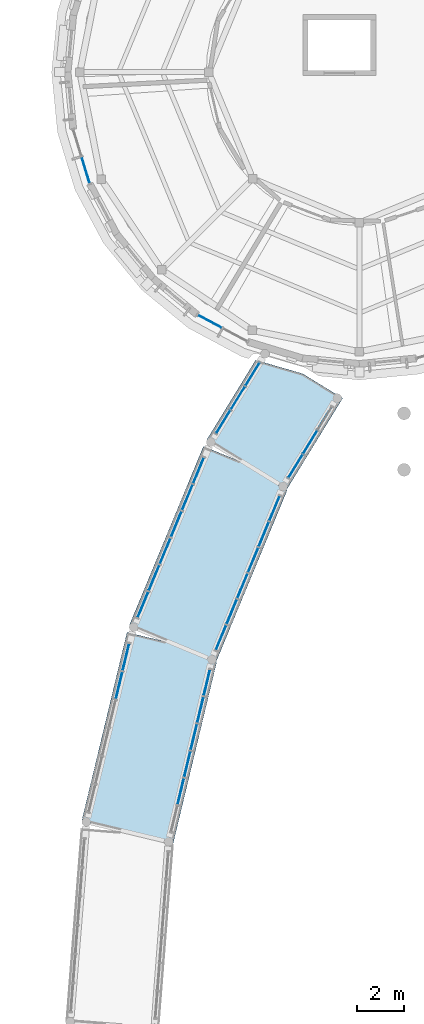
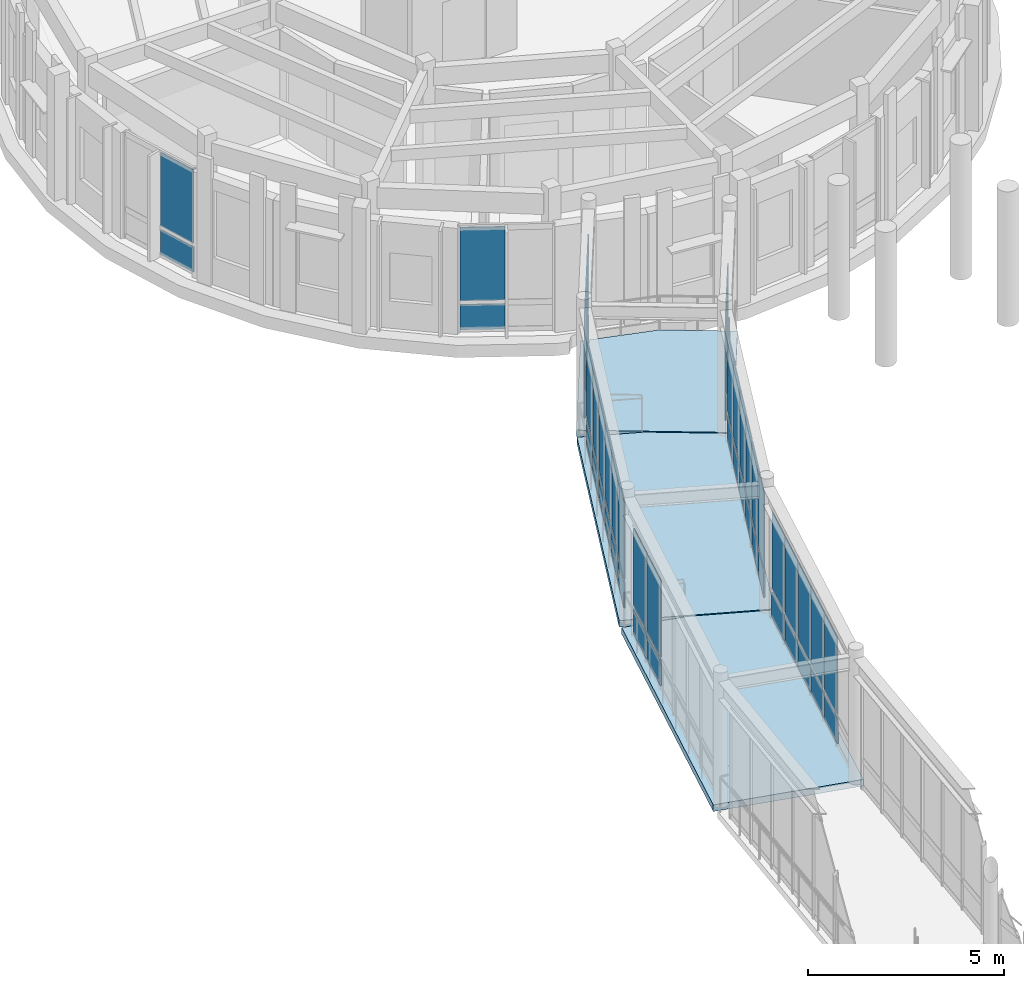
# One storey, part 41 of 80: 53 plates, 3 slabs, 8 elements without a shape of their own.
"""IFC4 building model written with IfcOpenShell, lengths in metres."""

import ifcopenshell
import ifcopenshell.guid

model = None  # the IFC model being written
_history = None  # IfcOwnerHistory: only IFC2X3 demands one
_inside = {}  # id of a spatial element -> (the spatial element, [elements in it])
_under = {}  # id of a project, library or spatial element -> (it, [spatial elements below it])
_declared = {}  # id of a project -> (the project, [libraries it declares])
_typed = {}  # id of a type object -> (the type object, [elements of that type])
_made_of = {}  # id of a material, layer set ... -> (it, [elements and type objects made of it])


def new_model(schema):
    """Start an empty IFC model of exactly this schema.

    Asked for "IFC4X3", IfcOpenShell would pick the latest addendum, in which some entities
    have other attributes; the version numbers below select the first issue.
    IFC2X3 requires an IfcOwnerHistory on every rooted entity: one is made here for all.
    """
    global model, _history
    if schema == "IFC4X3":
        model = ifcopenshell.file(schema_version=(4, 3, 0, 0))
    else:
        model = ifcopenshell.file(schema=schema)
    _inside.clear()
    _under.clear()
    _declared.clear()
    _typed.clear()
    _made_of.clear()
    _history = None
    if model.schema == "IFC2X3":
        org = make("IfcOrganization", Name="unknown")
        user = make(
            "IfcPersonAndOrganization",
            ThePerson=make("IfcPerson", FamilyName="unknown"),
            TheOrganization=org,
        )
        app = make(
            "IfcApplication",
            ApplicationDeveloper=org,
            Version="unknown",
            ApplicationFullName="unknown",
            ApplicationIdentifier="unknown",
        )
        _history = make(
            "IfcOwnerHistory",
            OwningUser=user,
            OwningApplication=app,
            ChangeAction="ADDED",
            CreationDate=0,
        )
    return model


def make(cls, **values):
    """One entity of the class cls with the attributes given. An attribute that is None is left unset."""
    return model.create_entity(
        cls, **{name: value for name, value in values.items() if value is not None}
    )


def rooted(cls, **values):
    """An entity with a GlobalId (a new one), such as an element, a storey or a relation."""
    return make(cls, GlobalId=ifcopenshell.guid.new(), OwnerHistory=_history, **values)


def si_unit(unit_type, name, prefix=None):
    """IfcSIUnit, for example si_unit("LENGTHUNIT", "METRE", prefix="MILLI")."""
    return make("IfcSIUnit", UnitType=unit_type, Prefix=prefix, Name=name)


def assignment(units):
    """IfcUnitAssignment: the units of a project."""
    return None if units is None else make("IfcUnitAssignment", Units=units)


def point(xyz):
    """IfcCartesianPoint."""
    return None if xyz is None else make("IfcCartesianPoint", Coordinates=xyz)


def direction(xyz):
    """IfcDirection."""
    return None if xyz is None else make("IfcDirection", DirectionRatios=xyz)


def frame(location, z_axis=None, x_axis=None):
    """IfcAxis2Placement3D, a coordinate frame: its origin and axes. An axis left out is left unset."""
    return make(
        "IfcAxis2Placement3D",
        Location=point(location),
        Axis=direction(z_axis),
        RefDirection=direction(x_axis),
    )


def frame_2d(location, x_axis=None):
    """IfcAxis2Placement2D, a coordinate frame in the plane: its origin and x axis."""
    return make(
        "IfcAxis2Placement2D", Location=point(location), RefDirection=direction(x_axis)
    )


def origin():
    """The frame at (0, 0, 0) with its axes left unset."""
    return frame((0.0, 0.0, 0.0))


def origin_2d():
    """The frame at (0, 0) in the plane with its x axis left unset."""
    return frame_2d((0.0, 0.0))


def place(relative_to, where):
    """IfcLocalPlacement: puts the frame where relative to a parent placement (None: the world)."""
    return make(
        "IfcLocalPlacement", PlacementRelTo=relative_to, RelativePlacement=where
    )


def context(
    kind, dimensions, precision=None, world=None, true_north=None, identifier=None
):
    """IfcGeometricRepresentationContext, for example the 3D "Model" context."""
    return make(
        "IfcGeometricRepresentationContext",
        ContextIdentifier=identifier,
        ContextType=kind,
        CoordinateSpaceDimension=dimensions,
        Precision=precision,
        WorldCoordinateSystem=world,
        TrueNorth=true_north,
    )


def subcontext(parent, identifier, kind, view, scale=None):
    """IfcGeometricRepresentationSubContext, for example "Body" below "Model"."""
    return make(
        "IfcGeometricRepresentationSubContext",
        ContextIdentifier=identifier,
        ContextType=kind,
        ParentContext=parent,
        TargetScale=scale,
        TargetView=view,
    )


def project(units=None, contexts=None):
    """IfcProject with its units and contexts."""
    return rooted(
        "IfcProject",
        Name="project",
        RepresentationContexts=contexts,
        UnitsInContext=assignment(units),
    )


def spatial(cls, under=None, at=None, **own):
    """A site, building, storey or space (cls), placed at a placement, below another one or the project."""
    s = rooted(cls, ObjectPlacement=at, **own)
    if under is not None:
        _under.setdefault(under.id(), (under, []))[1].append(s)
    return s


def polyline(points):
    """IfcPolyline through the points."""
    return make("IfcPolyline", Points=[point(p) for p in points])


def profile(cls, at=None, kind="AREA", **sizes):
    """A parametric profile (cls). Its sizes go by their IFC names, for example OverallWidth=200.0."""
    return make(cls, ProfileType=kind, Position=at, **sizes)


def rectangle(**sizes):
    """IfcRectangleProfileDef."""
    return profile("IfcRectangleProfileDef", **sizes)


def outline(outer, holes=None, kind="AREA"):
    """IfcArbitraryClosedProfileDef: a profile drawn as a closed curve; with holes, ...WithVoids."""
    if holes is None:
        return make("IfcArbitraryClosedProfileDef", ProfileType=kind, OuterCurve=outer)
    return make(
        "IfcArbitraryProfileDefWithVoids",
        ProfileType=kind,
        OuterCurve=outer,
        InnerCurves=holes,
    )


def extrude(swept, where, along, depth):
    """IfcExtrudedAreaSolid: the profile swept, set in the frame where, extruded along a direction by depth."""
    return make(
        "IfcExtrudedAreaSolid",
        SweptArea=swept,
        Position=where,
        ExtrudedDirection=direction(along),
        Depth=depth,
    )


def shape(context_of_items, identifier, shape_type, items):
    """IfcShapeRepresentation: the items that make up one representation, for example the "Body"."""
    return make(
        "IfcShapeRepresentation",
        ContextOfItems=context_of_items,
        RepresentationIdentifier=identifier,
        RepresentationType=shape_type,
        Items=items,
    )


def material(Name=None, Category=None):
    """IfcMaterial."""
    return make("IfcMaterial", Name=Name, Category=Category)


def layer(
    of_material, thickness, ventilated=None, Name=None, Category=None, Priority=None
):
    """IfcMaterialLayer: one layer of a wall or slab, of a material (None: an air gap)."""
    return make(
        "IfcMaterialLayer",
        Material=of_material,
        LayerThickness=thickness,
        IsVentilated=ventilated,
        Name=Name,
        Category=Category,
        Priority=Priority,
    )


def layer_set(layers, Name=None):
    """IfcMaterialLayerSet."""
    return make("IfcMaterialLayerSet", MaterialLayers=layers, LayerSetName=Name)


def made_of(thing, what):
    """Note that an element or type object is made of a material, layer set ...; save() writes the relation."""
    if what is not None:
        _made_of.setdefault(what.id(), (what, []))[1].append(thing)
    return thing


def type_object(cls, material=None, **own):
    """A type object (cls), such as IfcWallType, which elements share."""
    return made_of(rooted(cls, **own), material)


def element(
    cls,
    number,
    at=None,
    inside=None,
    cuts=None,
    type_object=None,
    material=None,
    context=None,
    identifier="Body",
    shape_type=None,
    held_by="IfcProductDefinitionShape",
    body=None,
    shapes=None,
    **own,
):
    """One element of the class cls, such as IfcWall. Its Tag is "e" and its number.

    at: its placement. inside: the storey or other place that contains it. cuts: it is an
    opening in that element (IfcRelVoidsElement). A single representation is given by context,
    identifier, shape_type and body (its items); several are given by shapes. held_by: the class
    of the entity that holds the representations. save() writes the other relations.
    """
    e = rooted(cls, Tag="e%d" % number, ObjectPlacement=at, **own)
    if body is not None:
        shapes = [shape(context, identifier, shape_type, body)]
    if shapes is not None:
        e.Representation = make(held_by, Representations=shapes)
    if inside is not None:
        _inside.setdefault(inside.id(), (inside, []))[1].append(e)
    if cuts is not None:
        rooted(
            "IfcRelVoidsElement", RelatingBuildingElement=cuts, RelatedOpeningElement=e
        )
    if type_object is not None:
        _typed.setdefault(type_object.id(), (type_object, []))[1].append(e)
    return made_of(e, material)


def aggregate(whole, parts):
    """IfcRelAggregates: a whole, such as a stair, and the parts it consists of."""
    return rooted("IfcRelAggregates", RelatingObject=whole, RelatedObjects=parts)


def save(model, path):
    """Write the relations noted so far, then the file.

    IfcRelAggregates (storeys below a building ...), IfcRelContainedInSpatialStructure (elements
    in a storey), IfcRelDefinesByType, IfcRelAssociatesMaterial and IfcRelDeclares: one each for
    every whole, place, type object, material and project.
    """
    for whole, parts in _under.values():
        aggregate(whole, parts)
    for where, things in _inside.values():
        rooted(
            "IfcRelContainedInSpatialStructure",
            RelatedElements=things,
            RelatingStructure=where,
        )
    for kind, things in _typed.values():
        rooted("IfcRelDefinesByType", RelatedObjects=things, RelatingType=kind)
    for what, things in _made_of.values():
        rooted("IfcRelAssociatesMaterial", RelatedObjects=things, RelatingMaterial=what)
    for by, libraries in _declared.values():
        rooted("IfcRelDeclares", RelatingContext=by, RelatedDefinitions=libraries)
    model.write(path)


model = new_model("IFC4")

# Units and contexts
model_context = context("Model", 3, precision=1e-05, world=origin(), true_north=direction((0.0, 1.0)))
body_context = subcontext(model_context, "Body", "Model", "MODEL_VIEW")
ifc_project = project(units=[si_unit("LENGTHUNIT", "METRE"), si_unit("AREAUNIT", "SQUARE_METRE"), si_unit("VOLUMEUNIT", "CUBIC_METRE"), si_unit("PLANEANGLEUNIT", "RADIAN"), si_unit("MASSUNIT", "GRAM", prefix="KILO")], contexts=[model_context])

# Site, building, storey
site_placement = place(None, origin())
site = spatial("IfcSite", under=ifc_project, at=site_placement, CompositionType="ELEMENT")
building_placement = place(site_placement, origin())
building = spatial("IfcBuilding", under=site, at=building_placement, Name="Aldenvaro Health Centre", CompositionType="ELEMENT")
storey_placement = place(building_placement, frame((0.0, 0.0, 4.550048828125)))
storey = spatial("IfcBuildingStorey", under=building, at=storey_placement, Name="L01", CompositionType="ELEMENT", Elevation=4.550048828125)

# Curtain wall, plate
ifc_material_1 = material(Name="Anodised Aluminium 6063-T6", Category="aluminium")
ifc_layer_1 = layer(ifc_material_1, 0.195068359375, Name="Anodised Aluminium 6063-T6", Category="aluminium")
ifc_layer_set_1 = layer_set([ifc_layer_1], Name="Anodised Aluminium 6063-T6")
curtain_wall_type_1 = type_object("IfcCurtainWallType", Name="CW-CLN-02", PredefinedType="NOTDEFINED", material=ifc_layer_set_1)
curtain_wall_1_placement = place(storey_placement, origin())
curtain_wall_1 = element("IfcCurtainWall", 1, at=curtain_wall_1_placement, inside=storey, type_object=curtain_wall_type_1, Name="D2 L01 curtain wall bay 11", PredefinedType="NOTDEFINED")
ifc_material_2 = material(Name="Low-E Double Glazing IGU", Category="glass")
ifc_layer_2 = layer(ifc_material_2, 0.028076171875, Name="Low-E Double Glazing IGU", Category="glass")
ifc_layer_set_2 = layer_set([ifc_layer_2], Name="Low-E Double Glazing IGU")
plate_type_1 = type_object("IfcPlateType", Name="CWP-IGU-28", PredefinedType="CURTAIN_PANEL", material=ifc_layer_set_2)
plate_1_placement = place(storey_placement, frame((148.14697265625, 88.903076171875, 0.95947265625), z_axis=(0.0, 0.0, 1.0), x_axis=(-0.881919874971, 0.471399336159, 0.0)))
plate_1 = element("IfcPlate", 2, at=plate_1_placement, type_object=plate_type_1, Name="D2 L01 curtain wall bay 11 vision glazing 2", PredefinedType="CURTAIN_PANEL", context=body_context, shape_type="SweptSolid", body=[
    extrude(rectangle(XDim=1.14599609375, YDim=0.028076171875, at=origin_2d()), origin(), (0.0, 0.0, 1.0), 2.2890625),
])

curtain_wall_2_placement = place(storey_placement, origin())
curtain_wall_2 = element("IfcCurtainWall", 3, at=curtain_wall_2_placement, inside=storey, type_object=curtain_wall_type_1, Name="D2 L01 curtain wall bay 15", PredefinedType="NOTDEFINED")
plate_2_placement = place(storey_placement, frame((142.867919921875, 95.3369140625, 0.95947265625), z_axis=(0.0, 0.0, 1.0), x_axis=(-0.290441245116, 0.956892827403, 0.0)))
plate_2 = element("IfcPlate", 4, at=plate_2_placement, type_object=plate_type_1, Name="D2 L01 curtain wall bay 15 vision glazing 1", PredefinedType="CURTAIN_PANEL", context=body_context, shape_type="SweptSolid", body=[
    extrude(rectangle(XDim=1.14501953125, YDim=0.028076171875, at=origin_2d()), origin(), (0.0, 0.0, 1.0), 2.2890625),
])

# Curtain wall, plates
ifc_layer_3 = layer(ifc_material_1, 0.2099609375, Name="Anodised Aluminium 6063-T6", Category="aluminium")
ifc_layer_set_3 = layer_set([ifc_layer_3], Name="Anodised Aluminium 6063-T6")
curtain_wall_type_2 = type_object("IfcCurtainWallType", Name="CW-BRG-03", PredefinedType="NOTDEFINED", material=ifc_layer_set_3)
curtain_wall_3_placement = place(storey_placement, origin())
curtain_wall_3 = element("IfcCurtainWall", 5, at=curtain_wall_3_placement, inside=storey, type_object=curtain_wall_type_2, Name="East Curved Garden Colonnade Arc 1 L01 glazed link wall L-1.1", PredefinedType="NOTDEFINED")
plate_3_placement = place(storey_placement, frame((152.406982421875, 83.77197265625, 0.9599609375), z_axis=(0.0, 0.0, 1.0), x_axis=(-0.522437044215, -0.852677861113, 0.0)))
plate_3 = element("IfcPlate", 6, at=plate_3_placement, type_object=plate_type_1, Name="East Curved Garden Colonnade Arc 1 L01 glazed link wall L-1.1 vision glazing 2", PredefinedType="CURTAIN_PANEL", context=body_context, shape_type="SweptSolid", body=[
    extrude(rectangle(XDim=1.117919921875, YDim=0.028076171875, at=origin_2d()), origin(), (0.0, 0.0, 1.0), 2.389892578125),
])
plate_4_placement = place(storey_placement, frame((151.785888671875, 82.758056640625, 0.9599609375), z_axis=(0.0, 0.0, 1.0), x_axis=(-0.522437044215, -0.852677861113, 0.0)))
plate_4 = element("IfcPlate", 7, at=plate_4_placement, type_object=plate_type_1, Name="East Curved Garden Colonnade Arc 1 L01 glazed link wall L-1.1 vision glazing 3", PredefinedType="CURTAIN_PANEL", context=body_context, shape_type="SweptSolid", body=[
    extrude(rectangle(XDim=1.117919921875, YDim=0.028076171875, at=origin_2d()), origin(), (0.0, 0.0, 1.0), 2.389892578125),
])

curtain_wall_4_placement = place(storey_placement, origin())
curtain_wall_4 = element("IfcCurtainWall", 8, at=curtain_wall_4_placement, inside=storey, type_object=curtain_wall_type_2, Name="East Curved Garden Colonnade Arc 1 L01 glazed link wall R-1.1", PredefinedType="NOTDEFINED")
plate_5_placement = place(storey_placement, frame((149.958984375, 86.666015625, 0.9599609375), z_axis=(0.0, 0.0, 1.0), x_axis=(-0.522562057926, -0.852601252413, 0.0)))
plate_5 = element("IfcPlate", 9, at=plate_5_placement, type_object=plate_type_1, Name="East Curved Garden Colonnade Arc 1 L01 glazed link wall R-1.1 vision glazing 1", PredefinedType="CURTAIN_PANEL", context=body_context, shape_type="SweptSolid", body=[
    extrude(rectangle(XDim=1.117919921875, YDim=0.028076171875, at=origin_2d()), origin(), (0.0, 0.0, 1.0), 2.389892578125),
])
plate_6_placement = place(storey_placement, frame((149.337890625, 85.653076171875, 0.9599609375), z_axis=(0.0, 0.0, 1.0), x_axis=(-0.522562057926, -0.852601252413, 0.0)))
plate_6 = element("IfcPlate", 10, at=plate_6_placement, type_object=plate_type_1, Name="East Curved Garden Colonnade Arc 1 L01 glazed link wall R-1.1 vision glazing 2", PredefinedType="CURTAIN_PANEL", context=body_context, shape_type="SweptSolid", body=[
    extrude(rectangle(XDim=1.117919921875, YDim=0.028076171875, at=origin_2d()), origin(), (0.0, 0.0, 1.0), 2.389892578125),
])
plate_7_placement = place(storey_placement, frame((148.717041015625, 84.639892578125, 0.9599609375), z_axis=(0.0, 0.0, 1.0), x_axis=(-0.522562057926, -0.852601252413, 0.0)))
plate_7 = element("IfcPlate", 11, at=plate_7_placement, type_object=plate_type_1, Name="East Curved Garden Colonnade Arc 1 L01 glazed link wall R-1.1 vision glazing 3", PredefinedType="CURTAIN_PANEL", context=body_context, shape_type="SweptSolid", body=[
    extrude(rectangle(XDim=1.117919921875, YDim=0.028076171875, at=origin_2d()), origin(), (0.0, 0.0, 1.0), 2.389892578125),
])

curtain_wall_5_placement = place(storey_placement, origin())
curtain_wall_5 = element("IfcCurtainWall", 12, at=curtain_wall_5_placement, inside=storey, type_object=curtain_wall_type_2, Name="East Curved Garden Colonnade Arc 2 L01 glazed link wall L-1.1", PredefinedType="NOTDEFINED")
plate_8_placement = place(storey_placement, frame((150.89404296875, 80.958984375, 0.9599609375), z_axis=(0.0, 0.0, 1.0), x_axis=(-0.382562426811, -0.923929645369, 0.0)))
plate_8 = element("IfcPlate", 13, at=plate_8_placement, type_object=plate_type_1, Name="East Curved Garden Colonnade Arc 2 L01 glazed link wall L-1.1 vision glazing 1", PredefinedType="CURTAIN_PANEL", context=body_context, shape_type="SweptSolid", body=[
    extrude(rectangle(XDim=1.117919921875, YDim=0.028076171875, at=origin_2d()), origin(), (0.0, 0.0, 1.0), 2.389892578125),
])
plate_9_placement = place(storey_placement, frame((150.43896484375, 79.861083984375, 0.9599609375), z_axis=(0.0, 0.0, 1.0), x_axis=(-0.382562426811, -0.923929645369, 0.0)))
plate_9 = element("IfcPlate", 14, at=plate_9_placement, type_object=plate_type_1, Name="East Curved Garden Colonnade Arc 2 L01 glazed link wall L-1.1 vision glazing 2", PredefinedType="CURTAIN_PANEL", context=body_context, shape_type="SweptSolid", body=[
    extrude(rectangle(XDim=1.117919921875, YDim=0.028076171875, at=origin_2d()), origin(), (0.0, 0.0, 1.0), 2.389892578125),
])
plate_10_placement = place(storey_placement, frame((149.985107421875, 78.763916015625, 0.9599609375), z_axis=(0.0, 0.0, 1.0), x_axis=(-0.382562426811, -0.923929645369, 0.0)))
plate_10 = element("IfcPlate", 15, at=plate_10_placement, type_object=plate_type_1, Name="East Curved Garden Colonnade Arc 2 L01 glazed link wall L-1.1 vision glazing 3", PredefinedType="CURTAIN_PANEL", context=body_context, shape_type="SweptSolid", body=[
    extrude(rectangle(XDim=1.117919921875, YDim=0.028076171875, at=origin_2d()), origin(), (0.0, 0.0, 1.0), 2.389892578125),
])
plate_11_placement = place(storey_placement, frame((149.530029296875, 77.666015625, 0.9599609375), z_axis=(0.0, 0.0, 1.0), x_axis=(-0.382562426811, -0.923929645369, 0.0)))
plate_11 = element("IfcPlate", 16, at=plate_11_placement, type_object=plate_type_1, Name="East Curved Garden Colonnade Arc 2 L01 glazed link wall L-1.1 vision glazing 4", PredefinedType="CURTAIN_PANEL", context=body_context, shape_type="SweptSolid", body=[
    extrude(rectangle(XDim=1.117919921875, YDim=0.028076171875, at=origin_2d()), origin(), (0.0, 0.0, 1.0), 2.389892578125),
])
plate_12_placement = place(storey_placement, frame((149.075927734375, 76.569091796875, 0.9599609375), z_axis=(0.0, 0.0, 1.0), x_axis=(-0.382562426811, -0.923929645369, 0.0)))
plate_12 = element("IfcPlate", 17, at=plate_12_placement, type_object=plate_type_1, Name="East Curved Garden Colonnade Arc 2 L01 glazed link wall L-1.1 vision glazing 5", PredefinedType="CURTAIN_PANEL", context=body_context, shape_type="SweptSolid", body=[
    extrude(rectangle(XDim=1.117919921875, YDim=0.028076171875, at=origin_2d()), origin(), (0.0, 0.0, 1.0), 2.389892578125),
])
plate_13_placement = place(storey_placement, frame((148.62109375, 75.470947265625, 0.9599609375), z_axis=(0.0, 0.0, 1.0), x_axis=(-0.382562426811, -0.923929645369, 0.0)))
plate_13 = element("IfcPlate", 18, at=plate_13_placement, type_object=plate_type_1, Name="East Curved Garden Colonnade Arc 2 L01 glazed link wall L-1.1 vision glazing 6", PredefinedType="CURTAIN_PANEL", context=body_context, shape_type="SweptSolid", body=[
    extrude(rectangle(XDim=1.117919921875, YDim=0.028076171875, at=origin_2d()), origin(), (0.0, 0.0, 1.0), 2.389892578125),
])

curtain_wall_6_placement = place(storey_placement, origin())
curtain_wall_6 = element("IfcCurtainWall", 19, at=curtain_wall_6_placement, inside=storey, type_object=curtain_wall_type_2, Name="East Curved Garden Colonnade Arc 2 L01 glazed link wall R-1.1", PredefinedType="NOTDEFINED")
plate_14_placement = place(storey_placement, frame((147.662109375, 82.56591796875, 0.9599609375), z_axis=(0.0, 0.0, 1.0), x_axis=(-0.382503002228, -0.923954248481, 0.0)))
plate_14 = element("IfcPlate", 20, at=plate_14_placement, type_object=plate_type_1, Name="East Curved Garden Colonnade Arc 2 L01 glazed link wall R-1.1 vision glazing 1", PredefinedType="CURTAIN_PANEL", context=body_context, shape_type="SweptSolid", body=[
    extrude(rectangle(XDim=1.1630859375, YDim=0.028076171875, at=origin_2d()), origin(), (0.0, 0.0, 1.0), 2.389892578125),
])
plate_15_placement = place(storey_placement, frame((147.18994140625, 81.427001953125, 0.9599609375), z_axis=(0.0, 0.0, 1.0), x_axis=(-0.382503002228, -0.923954248481, 0.0)))
plate_15 = element("IfcPlate", 21, at=plate_15_placement, type_object=plate_type_1, Name="East Curved Garden Colonnade Arc 2 L01 glazed link wall R-1.1 vision glazing 2", PredefinedType="CURTAIN_PANEL", context=body_context, shape_type="SweptSolid", body=[
    extrude(rectangle(XDim=1.1630859375, YDim=0.028076171875, at=origin_2d()), origin(), (0.0, 0.0, 1.0), 2.389892578125),
])
plate_16_placement = place(storey_placement, frame((146.718994140625, 80.2880859375, 0.9599609375), z_axis=(0.0, 0.0, 1.0), x_axis=(-0.382503002228, -0.923954248481, 0.0)))
plate_16 = element("IfcPlate", 22, at=plate_16_placement, type_object=plate_type_1, Name="East Curved Garden Colonnade Arc 2 L01 glazed link wall R-1.1 vision glazing 3", PredefinedType="CURTAIN_PANEL", context=body_context, shape_type="SweptSolid", body=[
    extrude(rectangle(XDim=1.1630859375, YDim=0.028076171875, at=origin_2d()), origin(), (0.0, 0.0, 1.0), 2.389892578125),
])
plate_17_placement = place(storey_placement, frame((146.2470703125, 79.14794921875, 0.9599609375), z_axis=(0.0, 0.0, 1.0), x_axis=(-0.382503002228, -0.923954248481, 0.0)))
plate_17 = element("IfcPlate", 23, at=plate_17_placement, type_object=plate_type_1, Name="East Curved Garden Colonnade Arc 2 L01 glazed link wall R-1.1 vision glazing 4", PredefinedType="CURTAIN_PANEL", context=body_context, shape_type="SweptSolid", body=[
    extrude(rectangle(XDim=1.1630859375, YDim=0.028076171875, at=origin_2d()), origin(), (0.0, 0.0, 1.0), 2.389892578125),
])
plate_18_placement = place(storey_placement, frame((145.77587890625, 78.009033203125, 0.9599609375), z_axis=(0.0, 0.0, 1.0), x_axis=(-0.382503002228, -0.923954248481, 0.0)))
plate_18 = element("IfcPlate", 24, at=plate_18_placement, type_object=plate_type_1, Name="East Curved Garden Colonnade Arc 2 L01 glazed link wall R-1.1 vision glazing 5", PredefinedType="CURTAIN_PANEL", context=body_context, shape_type="SweptSolid", body=[
    extrude(rectangle(XDim=1.1630859375, YDim=0.028076171875, at=origin_2d()), origin(), (0.0, 0.0, 1.0), 2.389892578125),
])
plate_19_placement = place(storey_placement, frame((145.303955078125, 76.8701171875, 0.9599609375), z_axis=(0.0, 0.0, 1.0), x_axis=(-0.382503002228, -0.923954248481, 0.0)))
plate_19 = element("IfcPlate", 25, at=plate_19_placement, type_object=plate_type_1, Name="East Curved Garden Colonnade Arc 2 L01 glazed link wall R-1.1 vision glazing 6", PredefinedType="CURTAIN_PANEL", context=body_context, shape_type="SweptSolid", body=[
    extrude(rectangle(XDim=1.1630859375, YDim=0.028076171875, at=origin_2d()), origin(), (0.0, 0.0, 1.0), 2.389892578125),
])

curtain_wall_7_placement = place(storey_placement, origin())
curtain_wall_7 = element("IfcCurtainWall", 26, at=curtain_wall_7_placement, inside=storey, type_object=curtain_wall_type_2, Name="East Curved Garden Colonnade Arc 3 L01 glazed link wall L-1.1", PredefinedType="NOTDEFINED")
plate_20_placement = place(storey_placement, frame((148.02001953125, 73.552978515625, 0.9599609375), z_axis=(0.0, 0.0, 1.0), x_axis=(-0.233611743879, -0.972329961033, 0.0)))
plate_20 = element("IfcPlate", 27, at=plate_20_placement, type_object=plate_type_1, Name="East Curved Garden Colonnade Arc 3 L01 glazed link wall L-1.1 vision glazing 1", PredefinedType="CURTAIN_PANEL", context=body_context, shape_type="SweptSolid", body=[
    extrude(rectangle(XDim=1.117919921875, YDim=0.028076171875, at=origin_2d()), origin(), (0.0, 0.0, 1.0), 2.389892578125),
])
plate_21_placement = place(storey_placement, frame((147.742919921875, 72.39794921875, 0.9599609375), z_axis=(0.0, 0.0, 1.0), x_axis=(-0.233611743879, -0.972329961033, 0.0)))
plate_21 = element("IfcPlate", 28, at=plate_21_placement, type_object=plate_type_1, Name="East Curved Garden Colonnade Arc 3 L01 glazed link wall L-1.1 vision glazing 2", PredefinedType="CURTAIN_PANEL", context=body_context, shape_type="SweptSolid", body=[
    extrude(rectangle(XDim=1.117919921875, YDim=0.028076171875, at=origin_2d()), origin(), (0.0, 0.0, 1.0), 2.389892578125),
])
plate_22_placement = place(storey_placement, frame((147.465087890625, 71.242919921875, 0.9599609375), z_axis=(0.0, 0.0, 1.0), x_axis=(-0.233611743879, -0.972329961033, 0.0)))
plate_22 = element("IfcPlate", 29, at=plate_22_placement, type_object=plate_type_1, Name="East Curved Garden Colonnade Arc 3 L01 glazed link wall L-1.1 vision glazing 3", PredefinedType="CURTAIN_PANEL", context=body_context, shape_type="SweptSolid", body=[
    extrude(rectangle(XDim=1.117919921875, YDim=0.028076171875, at=origin_2d()), origin(), (0.0, 0.0, 1.0), 2.389892578125),
])
plate_23_placement = place(storey_placement, frame((147.18798828125, 70.087890625, 0.9599609375), z_axis=(0.0, 0.0, 1.0), x_axis=(-0.233611743879, -0.972329961033, 0.0)))
plate_23 = element("IfcPlate", 30, at=plate_23_placement, type_object=plate_type_1, Name="East Curved Garden Colonnade Arc 3 L01 glazed link wall L-1.1 vision glazing 4", PredefinedType="CURTAIN_PANEL", context=body_context, shape_type="SweptSolid", body=[
    extrude(rectangle(XDim=1.117919921875, YDim=0.028076171875, at=origin_2d()), origin(), (0.0, 0.0, 1.0), 2.389892578125),
])
plate_24_placement = place(storey_placement, frame((146.909912109375, 68.93310546875, 0.9599609375), z_axis=(0.0, 0.0, 1.0), x_axis=(-0.233611743879, -0.972329961033, 0.0)))
plate_24 = element("IfcPlate", 31, at=plate_24_placement, type_object=plate_type_1, Name="East Curved Garden Colonnade Arc 3 L01 glazed link wall L-1.1 vision glazing 5", PredefinedType="CURTAIN_PANEL", context=body_context, shape_type="SweptSolid", body=[
    extrude(rectangle(XDim=1.117919921875, YDim=0.028076171875, at=origin_2d()), origin(), (0.0, 0.0, 1.0), 2.389892578125),
])

curtain_wall_8_placement = place(storey_placement, origin())
curtain_wall_8 = element("IfcCurtainWall", 32, at=curtain_wall_8_placement, inside=storey, type_object=curtain_wall_type_2, Name="East Curved Garden Colonnade Arc 3 L01 glazed link wall R-1.1", PredefinedType="NOTDEFINED")
plate_25_placement = place(storey_placement, frame((144.577880859375, 74.635986328125, 0.9599609375), z_axis=(0.0, 0.0, 1.0), x_axis=(-0.233587677429, -0.972335742917, 0.0)))
plate_25 = element("IfcPlate", 33, at=plate_25_placement, type_object=plate_type_1, Name="East Curved Garden Colonnade Arc 3 L01 glazed link wall R-1.1 vision glazing 1", PredefinedType="CURTAIN_PANEL", context=body_context, shape_type="SweptSolid", body=[
    extrude(rectangle(XDim=1.1630859375, YDim=0.028076171875, at=origin_2d()), origin(), (0.0, 0.0, 1.0), 2.389892578125),
])
plate_26_placement = place(storey_placement, frame((144.2900390625, 73.43701171875, 0.9599609375), z_axis=(0.0, 0.0, 1.0), x_axis=(-0.233587677429, -0.972335742917, 0.0)))
plate_26 = element("IfcPlate", 34, at=plate_26_placement, type_object=plate_type_1, Name="East Curved Garden Colonnade Arc 3 L01 glazed link wall R-1.1 vision glazing 2", PredefinedType="CURTAIN_PANEL", context=body_context, shape_type="SweptSolid", body=[
    extrude(rectangle(XDim=1.1630859375, YDim=0.028076171875, at=origin_2d()), origin(), (0.0, 0.0, 1.0), 2.389892578125),
])

# Plate
ifc_material_3 = material(Name="Insulated Aluminium Spandrel", Category="aluminium")
ifc_layer_4 = layer(ifc_material_3, 0.035888671875, Name="Insulated Aluminium Spandrel", Category="aluminium")
ifc_layer_set_4 = layer_set([ifc_layer_4], Name="Insulated Aluminium Spandrel")
plate_type_2 = type_object("IfcPlateType", Name="CWP-SPN-36", PredefinedType="CURTAIN_PANEL", material=ifc_layer_set_4)
plate_27_placement = place(storey_placement, frame((148.14697265625, 88.903076171875, 0.06005859375), z_axis=(0.0, 0.0, 1.0), x_axis=(-0.881919874971, 0.471399336159, 0.0)))
plate_27 = element("IfcPlate", 35, at=plate_27_placement, type_object=plate_type_2, Name="D2 L01 curtain wall bay 11 spandrel panel 2", PredefinedType="CURTAIN_PANEL", context=body_context, shape_type="SweptSolid", body=[
    extrude(rectangle(XDim=1.14599609375, YDim=0.035888671875, at=origin_2d()), origin(), (0.0, 0.0, 1.0), 0.780029296875),
])

aggregate(curtain_wall_1, [plate_27, plate_1])

plate_28_placement = place(storey_placement, frame((142.867919921875, 95.3369140625, 0.06005859375), z_axis=(0.0, 0.0, 1.0), x_axis=(-0.290441245116, 0.956892827403, 0.0)))
plate_28 = element("IfcPlate", 36, at=plate_28_placement, type_object=plate_type_2, Name="D2 L01 curtain wall bay 15 spandrel panel 1", PredefinedType="CURTAIN_PANEL", context=body_context, shape_type="SweptSolid", body=[
    extrude(rectangle(XDim=1.14501953125, YDim=0.035888671875, at=origin_2d()), origin(), (0.0, 0.0, 1.0), 0.780029296875),
])

aggregate(curtain_wall_2, [plate_28, plate_2])

plate_29_placement = place(storey_placement, frame((153.028076171875, 84.783935546875, 0.06005859375), z_axis=(0.0, 0.0, 1.0), x_axis=(-0.522437044215, -0.852677861113, 0.0)))
plate_29 = element("IfcPlate", 37, at=plate_29_placement, type_object=plate_type_2, Name="East Curved Garden Colonnade Arc 1 L01 glazed link wall L-1.1 spandrel panel 1", PredefinedType="CURTAIN_PANEL", context=body_context, shape_type="SweptSolid", body=[
    extrude(rectangle(XDim=1.117919921875, YDim=0.035888671875, at=origin_2d()), origin(), (0.0, 0.0, 1.0), 0.780029296875),
])

plate_30_placement = place(storey_placement, frame((152.406982421875, 83.77197265625, 0.06005859375), z_axis=(0.0, 0.0, 1.0), x_axis=(-0.522437044215, -0.852677861113, 0.0)))
plate_30 = element("IfcPlate", 38, at=plate_30_placement, type_object=plate_type_2, Name="East Curved Garden Colonnade Arc 1 L01 glazed link wall L-1.1 spandrel panel 2", PredefinedType="CURTAIN_PANEL", context=body_context, shape_type="SweptSolid", body=[
    extrude(rectangle(XDim=1.117919921875, YDim=0.035888671875, at=origin_2d()), origin(), (0.0, 0.0, 1.0), 0.780029296875),
])

plate_31_placement = place(storey_placement, frame((151.785888671875, 82.758056640625, 0.06005859375), z_axis=(0.0, 0.0, 1.0), x_axis=(-0.522437044215, -0.852677861113, 0.0)))
plate_31 = element("IfcPlate", 39, at=plate_31_placement, type_object=plate_type_2, Name="East Curved Garden Colonnade Arc 1 L01 glazed link wall L-1.1 spandrel panel 3", PredefinedType="CURTAIN_PANEL", context=body_context, shape_type="SweptSolid", body=[
    extrude(rectangle(XDim=1.117919921875, YDim=0.035888671875, at=origin_2d()), origin(), (0.0, 0.0, 1.0), 0.780029296875),
])

aggregate(curtain_wall_3, [plate_29, plate_30, plate_3, plate_31, plate_4])

plate_32_placement = place(storey_placement, frame((149.958984375, 86.666015625, 0.06005859375), z_axis=(0.0, 0.0, 1.0), x_axis=(-0.522562057926, -0.852601252413, 0.0)))
plate_32 = element("IfcPlate", 40, at=plate_32_placement, type_object=plate_type_2, Name="East Curved Garden Colonnade Arc 1 L01 glazed link wall R-1.1 spandrel panel 1", PredefinedType="CURTAIN_PANEL", context=body_context, shape_type="SweptSolid", body=[
    extrude(rectangle(XDim=1.117919921875, YDim=0.035888671875, at=origin_2d()), origin(), (0.0, 0.0, 1.0), 0.780029296875),
])

plate_33_placement = place(storey_placement, frame((149.337890625, 85.653076171875, 0.06005859375), z_axis=(0.0, 0.0, 1.0), x_axis=(-0.522562057926, -0.852601252413, 0.0)))
plate_33 = element("IfcPlate", 41, at=plate_33_placement, type_object=plate_type_2, Name="East Curved Garden Colonnade Arc 1 L01 glazed link wall R-1.1 spandrel panel 2", PredefinedType="CURTAIN_PANEL", context=body_context, shape_type="SweptSolid", body=[
    extrude(rectangle(XDim=1.117919921875, YDim=0.035888671875, at=origin_2d()), origin(), (0.0, 0.0, 1.0), 0.780029296875),
])

plate_34_placement = place(storey_placement, frame((148.717041015625, 84.639892578125, 0.06005859375), z_axis=(0.0, 0.0, 1.0), x_axis=(-0.522562057926, -0.852601252413, 0.0)))
plate_34 = element("IfcPlate", 42, at=plate_34_placement, type_object=plate_type_2, Name="East Curved Garden Colonnade Arc 1 L01 glazed link wall R-1.1 spandrel panel 3", PredefinedType="CURTAIN_PANEL", context=body_context, shape_type="SweptSolid", body=[
    extrude(rectangle(XDim=1.117919921875, YDim=0.035888671875, at=origin_2d()), origin(), (0.0, 0.0, 1.0), 0.780029296875),
])

aggregate(curtain_wall_4, [plate_32, plate_5, plate_33, plate_6, plate_34, plate_7])

plate_35_placement = place(storey_placement, frame((150.89404296875, 80.958984375, 0.06005859375), z_axis=(0.0, 0.0, 1.0), x_axis=(-0.382562426811, -0.923929645369, 0.0)))
plate_35 = element("IfcPlate", 43, at=plate_35_placement, type_object=plate_type_2, Name="East Curved Garden Colonnade Arc 2 L01 glazed link wall L-1.1 spandrel panel 1", PredefinedType="CURTAIN_PANEL", context=body_context, shape_type="SweptSolid", body=[
    extrude(rectangle(XDim=1.117919921875, YDim=0.035888671875, at=origin_2d()), origin(), (0.0, 0.0, 1.0), 0.780029296875),
])

plate_36_placement = place(storey_placement, frame((150.43896484375, 79.861083984375, 0.06005859375), z_axis=(0.0, 0.0, 1.0), x_axis=(-0.382562426811, -0.923929645369, 0.0)))
plate_36 = element("IfcPlate", 44, at=plate_36_placement, type_object=plate_type_2, Name="East Curved Garden Colonnade Arc 2 L01 glazed link wall L-1.1 spandrel panel 2", PredefinedType="CURTAIN_PANEL", context=body_context, shape_type="SweptSolid", body=[
    extrude(rectangle(XDim=1.117919921875, YDim=0.035888671875, at=origin_2d()), origin(), (0.0, 0.0, 1.0), 0.780029296875),
])

plate_37_placement = place(storey_placement, frame((149.985107421875, 78.763916015625, 0.06005859375), z_axis=(0.0, 0.0, 1.0), x_axis=(-0.382562426811, -0.923929645369, 0.0)))
plate_37 = element("IfcPlate", 45, at=plate_37_placement, type_object=plate_type_2, Name="East Curved Garden Colonnade Arc 2 L01 glazed link wall L-1.1 spandrel panel 3", PredefinedType="CURTAIN_PANEL", context=body_context, shape_type="SweptSolid", body=[
    extrude(rectangle(XDim=1.117919921875, YDim=0.035888671875, at=origin_2d()), origin(), (0.0, 0.0, 1.0), 0.780029296875),
])

plate_38_placement = place(storey_placement, frame((149.530029296875, 77.666015625, 0.06005859375), z_axis=(0.0, 0.0, 1.0), x_axis=(-0.382562426811, -0.923929645369, 0.0)))
plate_38 = element("IfcPlate", 46, at=plate_38_placement, type_object=plate_type_2, Name="East Curved Garden Colonnade Arc 2 L01 glazed link wall L-1.1 spandrel panel 4", PredefinedType="CURTAIN_PANEL", context=body_context, shape_type="SweptSolid", body=[
    extrude(rectangle(XDim=1.117919921875, YDim=0.035888671875, at=origin_2d()), origin(), (0.0, 0.0, 1.0), 0.780029296875),
])

plate_39_placement = place(storey_placement, frame((149.075927734375, 76.569091796875, 0.06005859375), z_axis=(0.0, 0.0, 1.0), x_axis=(-0.382562426811, -0.923929645369, 0.0)))
plate_39 = element("IfcPlate", 47, at=plate_39_placement, type_object=plate_type_2, Name="East Curved Garden Colonnade Arc 2 L01 glazed link wall L-1.1 spandrel panel 5", PredefinedType="CURTAIN_PANEL", context=body_context, shape_type="SweptSolid", body=[
    extrude(rectangle(XDim=1.117919921875, YDim=0.035888671875, at=origin_2d()), origin(), (0.0, 0.0, 1.0), 0.780029296875),
])

plate_40_placement = place(storey_placement, frame((148.62109375, 75.470947265625, 0.06005859375), z_axis=(0.0, 0.0, 1.0), x_axis=(-0.382562426811, -0.923929645369, 0.0)))
plate_40 = element("IfcPlate", 48, at=plate_40_placement, type_object=plate_type_2, Name="East Curved Garden Colonnade Arc 2 L01 glazed link wall L-1.1 spandrel panel 6", PredefinedType="CURTAIN_PANEL", context=body_context, shape_type="SweptSolid", body=[
    extrude(rectangle(XDim=1.117919921875, YDim=0.035888671875, at=origin_2d()), origin(), (0.0, 0.0, 1.0), 0.780029296875),
])

aggregate(curtain_wall_5, [plate_35, plate_8, plate_36, plate_9, plate_37, plate_10, plate_38, plate_11, plate_39, plate_12, plate_40, plate_13])

plate_41_placement = place(storey_placement, frame((147.662109375, 82.56591796875, 0.06005859375), z_axis=(0.0, 0.0, 1.0), x_axis=(-0.382503002228, -0.923954248481, 0.0)))
plate_41 = element("IfcPlate", 49, at=plate_41_placement, type_object=plate_type_2, Name="East Curved Garden Colonnade Arc 2 L01 glazed link wall R-1.1 spandrel panel 1", PredefinedType="CURTAIN_PANEL", context=body_context, shape_type="SweptSolid", body=[
    extrude(rectangle(XDim=1.1630859375, YDim=0.035888671875, at=origin_2d()), origin(), (0.0, 0.0, 1.0), 0.780029296875),
])

plate_42_placement = place(storey_placement, frame((147.18994140625, 81.427001953125, 0.06005859375), z_axis=(0.0, 0.0, 1.0), x_axis=(-0.382503002228, -0.923954248481, 0.0)))
plate_42 = element("IfcPlate", 50, at=plate_42_placement, type_object=plate_type_2, Name="East Curved Garden Colonnade Arc 2 L01 glazed link wall R-1.1 spandrel panel 2", PredefinedType="CURTAIN_PANEL", context=body_context, shape_type="SweptSolid", body=[
    extrude(rectangle(XDim=1.1630859375, YDim=0.035888671875, at=origin_2d()), origin(), (0.0, 0.0, 1.0), 0.780029296875),
])

plate_43_placement = place(storey_placement, frame((146.718994140625, 80.2880859375, 0.06005859375), z_axis=(0.0, 0.0, 1.0), x_axis=(-0.382503002228, -0.923954248481, 0.0)))
plate_43 = element("IfcPlate", 51, at=plate_43_placement, type_object=plate_type_2, Name="East Curved Garden Colonnade Arc 2 L01 glazed link wall R-1.1 spandrel panel 3", PredefinedType="CURTAIN_PANEL", context=body_context, shape_type="SweptSolid", body=[
    extrude(rectangle(XDim=1.1630859375, YDim=0.035888671875, at=origin_2d()), origin(), (0.0, 0.0, 1.0), 0.780029296875),
])

plate_44_placement = place(storey_placement, frame((146.2470703125, 79.14794921875, 0.06005859375), z_axis=(0.0, 0.0, 1.0), x_axis=(-0.382503002228, -0.923954248481, 0.0)))
plate_44 = element("IfcPlate", 52, at=plate_44_placement, type_object=plate_type_2, Name="East Curved Garden Colonnade Arc 2 L01 glazed link wall R-1.1 spandrel panel 4", PredefinedType="CURTAIN_PANEL", context=body_context, shape_type="SweptSolid", body=[
    extrude(rectangle(XDim=1.1630859375, YDim=0.035888671875, at=origin_2d()), origin(), (0.0, 0.0, 1.0), 0.780029296875),
])

plate_45_placement = place(storey_placement, frame((145.77587890625, 78.009033203125, 0.06005859375), z_axis=(0.0, 0.0, 1.0), x_axis=(-0.382503002228, -0.923954248481, 0.0)))
plate_45 = element("IfcPlate", 53, at=plate_45_placement, type_object=plate_type_2, Name="East Curved Garden Colonnade Arc 2 L01 glazed link wall R-1.1 spandrel panel 5", PredefinedType="CURTAIN_PANEL", context=body_context, shape_type="SweptSolid", body=[
    extrude(rectangle(XDim=1.1630859375, YDim=0.035888671875, at=origin_2d()), origin(), (0.0, 0.0, 1.0), 0.780029296875),
])

plate_46_placement = place(storey_placement, frame((145.303955078125, 76.8701171875, 0.06005859375), z_axis=(0.0, 0.0, 1.0), x_axis=(-0.382503002228, -0.923954248481, 0.0)))
plate_46 = element("IfcPlate", 54, at=plate_46_placement, type_object=plate_type_2, Name="East Curved Garden Colonnade Arc 2 L01 glazed link wall R-1.1 spandrel panel 6", PredefinedType="CURTAIN_PANEL", context=body_context, shape_type="SweptSolid", body=[
    extrude(rectangle(XDim=1.1630859375, YDim=0.035888671875, at=origin_2d()), origin(), (0.0, 0.0, 1.0), 0.780029296875),
])

aggregate(curtain_wall_6, [plate_41, plate_14, plate_42, plate_15, plate_43, plate_16, plate_44, plate_17, plate_45, plate_18, plate_46, plate_19])

plate_47_placement = place(storey_placement, frame((148.02001953125, 73.552978515625, 0.06005859375), z_axis=(0.0, 0.0, 1.0), x_axis=(-0.233611743879, -0.972329961033, 0.0)))
plate_47 = element("IfcPlate", 55, at=plate_47_placement, type_object=plate_type_2, Name="East Curved Garden Colonnade Arc 3 L01 glazed link wall L-1.1 spandrel panel 1", PredefinedType="CURTAIN_PANEL", context=body_context, shape_type="SweptSolid", body=[
    extrude(rectangle(XDim=1.117919921875, YDim=0.035888671875, at=origin_2d()), origin(), (0.0, 0.0, 1.0), 0.780029296875),
])

plate_48_placement = place(storey_placement, frame((147.742919921875, 72.39794921875, 0.06005859375), z_axis=(0.0, 0.0, 1.0), x_axis=(-0.233611743879, -0.972329961033, 0.0)))
plate_48 = element("IfcPlate", 56, at=plate_48_placement, type_object=plate_type_2, Name="East Curved Garden Colonnade Arc 3 L01 glazed link wall L-1.1 spandrel panel 2", PredefinedType="CURTAIN_PANEL", context=body_context, shape_type="SweptSolid", body=[
    extrude(rectangle(XDim=1.117919921875, YDim=0.035888671875, at=origin_2d()), origin(), (0.0, 0.0, 1.0), 0.780029296875),
])

plate_49_placement = place(storey_placement, frame((147.465087890625, 71.242919921875, 0.06005859375), z_axis=(0.0, 0.0, 1.0), x_axis=(-0.233611743879, -0.972329961033, 0.0)))
plate_49 = element("IfcPlate", 57, at=plate_49_placement, type_object=plate_type_2, Name="East Curved Garden Colonnade Arc 3 L01 glazed link wall L-1.1 spandrel panel 3", PredefinedType="CURTAIN_PANEL", context=body_context, shape_type="SweptSolid", body=[
    extrude(rectangle(XDim=1.117919921875, YDim=0.035888671875, at=origin_2d()), origin(), (0.0, 0.0, 1.0), 0.780029296875),
])

plate_50_placement = place(storey_placement, frame((147.18798828125, 70.087890625, 0.06005859375), z_axis=(0.0, 0.0, 1.0), x_axis=(-0.233611743879, -0.972329961033, 0.0)))
plate_50 = element("IfcPlate", 58, at=plate_50_placement, type_object=plate_type_2, Name="East Curved Garden Colonnade Arc 3 L01 glazed link wall L-1.1 spandrel panel 4", PredefinedType="CURTAIN_PANEL", context=body_context, shape_type="SweptSolid", body=[
    extrude(rectangle(XDim=1.117919921875, YDim=0.035888671875, at=origin_2d()), origin(), (0.0, 0.0, 1.0), 0.780029296875),
])

plate_51_placement = place(storey_placement, frame((146.909912109375, 68.93310546875, 0.06005859375), z_axis=(0.0, 0.0, 1.0), x_axis=(-0.233611743879, -0.972329961033, 0.0)))
plate_51 = element("IfcPlate", 59, at=plate_51_placement, type_object=plate_type_2, Name="East Curved Garden Colonnade Arc 3 L01 glazed link wall L-1.1 spandrel panel 5", PredefinedType="CURTAIN_PANEL", context=body_context, shape_type="SweptSolid", body=[
    extrude(rectangle(XDim=1.117919921875, YDim=0.035888671875, at=origin_2d()), origin(), (0.0, 0.0, 1.0), 0.780029296875),
])

aggregate(curtain_wall_7, [plate_47, plate_20, plate_48, plate_21, plate_49, plate_22, plate_50, plate_23, plate_51, plate_24])

plate_52_placement = place(storey_placement, frame((144.577880859375, 74.635986328125, 0.06005859375), z_axis=(0.0, 0.0, 1.0), x_axis=(-0.233587677429, -0.972335742917, 0.0)))
plate_52 = element("IfcPlate", 60, at=plate_52_placement, type_object=plate_type_2, Name="East Curved Garden Colonnade Arc 3 L01 glazed link wall R-1.1 spandrel panel 1", PredefinedType="CURTAIN_PANEL", context=body_context, shape_type="SweptSolid", body=[
    extrude(rectangle(XDim=1.1630859375, YDim=0.035888671875, at=origin_2d()), origin(), (0.0, 0.0, 1.0), 0.780029296875),
])

plate_53_placement = place(storey_placement, frame((144.2900390625, 73.43701171875, 0.06005859375), z_axis=(0.0, 0.0, 1.0), x_axis=(-0.233587677429, -0.972335742917, 0.0)))
plate_53 = element("IfcPlate", 61, at=plate_53_placement, type_object=plate_type_2, Name="East Curved Garden Colonnade Arc 3 L01 glazed link wall R-1.1 spandrel panel 2", PredefinedType="CURTAIN_PANEL", context=body_context, shape_type="SweptSolid", body=[
    extrude(rectangle(XDim=1.1630859375, YDim=0.035888671875, at=origin_2d()), origin(), (0.0, 0.0, 1.0), 0.780029296875),
])

aggregate(curtain_wall_8, [plate_52, plate_25, plate_53, plate_26])

# Slabs
ifc_material_4 = material(Name="Cross-laminated timber CLT E1", Category="wood")
ifc_layer_5 = layer(ifc_material_4, 0.205078125, Name="Cross-laminated timber CLT E1", Category="wood")
ifc_layer_set_5 = layer_set([ifc_layer_5], Name="Cross-laminated timber CLT E1")
slab_type = type_object("IfcSlabType", Name="SLB-CLT-205", PredefinedType="FLOOR", material=ifc_layer_set_5)
slab_1_placement = place(storey_placement, frame((0.0, 0.0, -0.205078125)))
element("IfcSlab", 62, at=slab_1_placement, inside=storey, type_object=slab_type, Name="East Curved Garden Colonnade Arc 1 L01 deck slab", PredefinedType="FLOOR", context=body_context, shape_type="SweptSolid", body=[
    extrude(outline(polyline([(153.7890625, 85.64306640625), (151.427001953125, 81.7900390625), (148.01708984375, 83.8798828125), (150.092041015625, 87.264892578125), (152.083984375, 86.68798828125), (153.7890625, 85.64306640625)])), origin(), (0.0, 0.0, 1.0), 0.205078125),
])
slab_2_placement = place(storey_placement, frame((0.0, 0.0, -0.205078125)))
element("IfcSlab", 63, at=slab_2_placement, inside=storey, type_object=slab_type, Name="East Curved Garden Colonnade Arc 2 L01 deck slab", PredefinedType="FLOOR", context=body_context, shape_type="SweptSolid", body=[
    extrude(outline(polyline([(148.41796875, 74.4580078125), (144.721923828125, 75.988037109375), (147.8740234375, 83.60009765625), (149.486083984375, 82.93310546875), (151.43310546875, 81.739013671875), (148.41796875, 74.4580078125)])), origin(), (0.0, 0.0, 1.0), 0.205078125),
])
slab_3_placement = place(storey_placement, frame((0.0, 0.0, -0.205078125)))
element("IfcSlab", 64, at=slab_3_placement, inside=storey, type_object=slab_type, Name="East Curved Garden Colonnade Arc 3 L01 deck slab", PredefinedType="FLOOR", context=body_context, shape_type="SweptSolid", body=[
    extrude(outline(polyline([(146.591064453125, 66.74609375), (142.700927734375, 67.679931640625), (144.625, 75.68994140625), (146.321044921875, 75.282958984375), (148.430908203125, 74.408935546875), (146.591064453125, 66.74609375)])), origin(), (0.0, 0.0, 1.0), 0.205078125),
])

save(model, "model.ifc")
